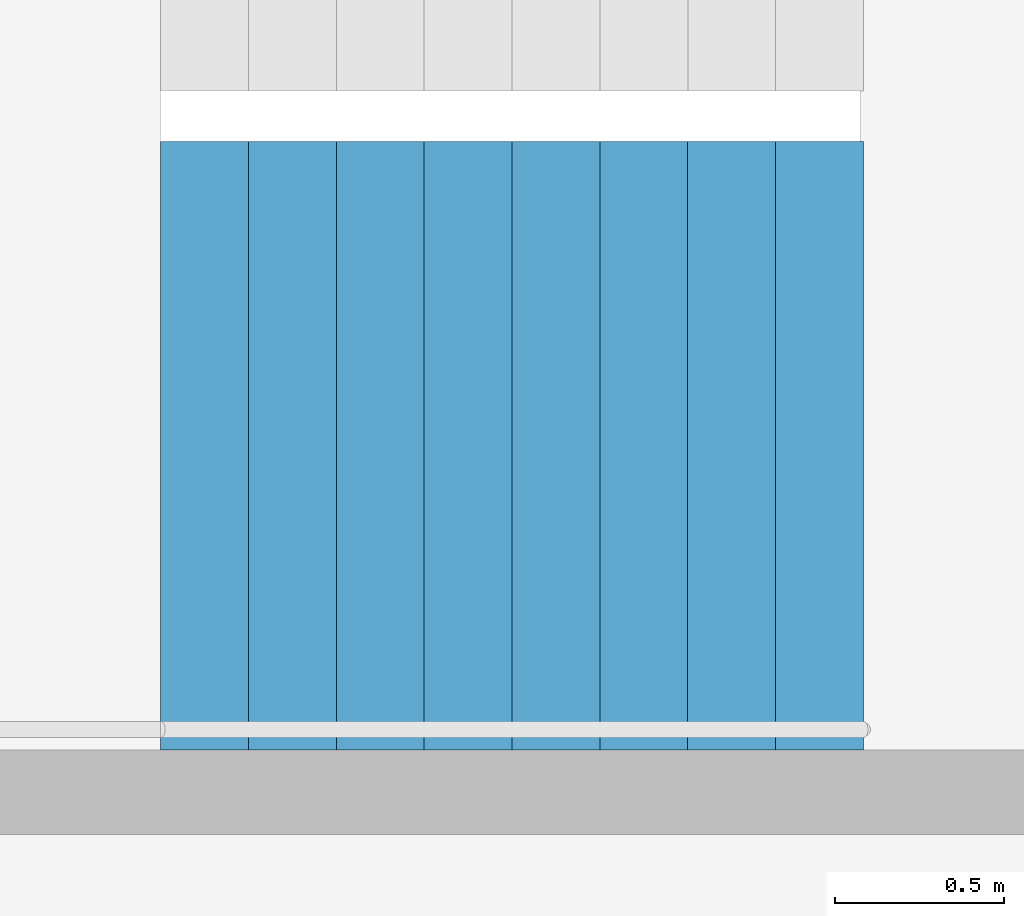
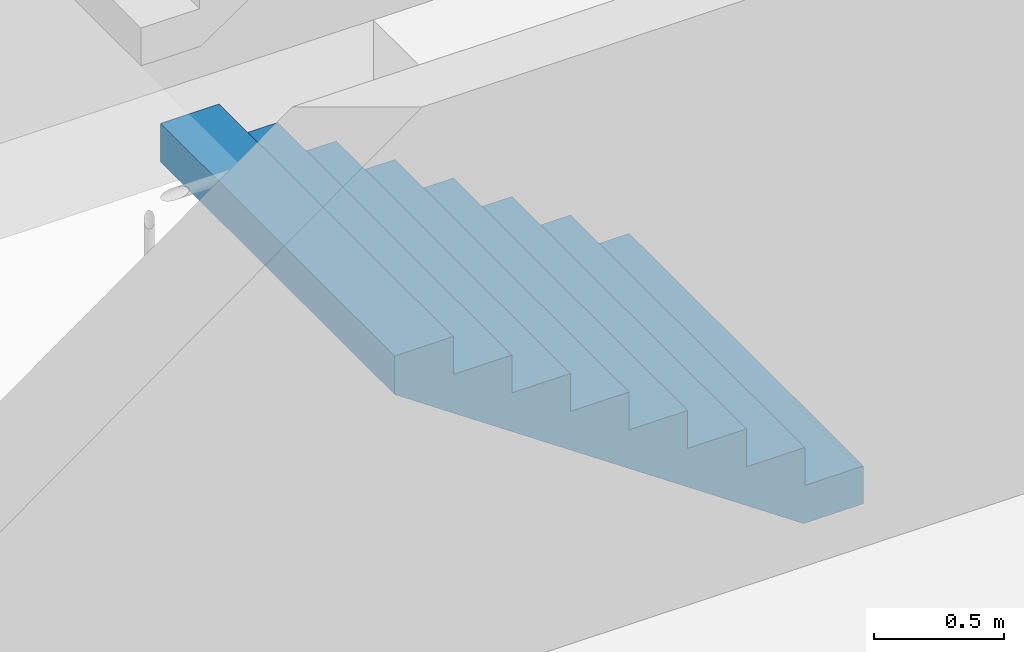
# One storey, part 25 of 27: 1 stair flight, 1 element without a shape of its own.
"""IFC4 building model written with IfcOpenShell, lengths in metres."""

from ifc_helpers import new_model, si_unit, direction, frame, origin, place, context, subcontext, project, spatial, triangles, material, type_object, element, aggregate, save


model = new_model("IFC4")

# Units and contexts
model_context = context("Model", 3, precision=1e-05, world=origin(), true_north=direction((0.0, 1.0)))
body_context = subcontext(model_context, "Body", "Model", "MODEL_VIEW")
ifc_project = project(units=[si_unit("LENGTHUNIT", "METRE"), si_unit("AREAUNIT", "SQUARE_METRE"), si_unit("VOLUMEUNIT", "CUBIC_METRE"), si_unit("PLANEANGLEUNIT", "RADIAN"), si_unit("MASSUNIT", "GRAM", prefix="KILO")], contexts=[model_context])

# Site, building, storey
site_placement = place(None, origin())
site = spatial("IfcSite", under=ifc_project, at=site_placement, CompositionType="ELEMENT")
building_placement = place(site_placement, origin())
building = spatial("IfcBuilding", under=site, at=building_placement, Name="Hakoniwa Tower and Hamabe Station Hall", CompositionType="ELEMENT")
storey_placement = place(building_placement, frame((0.0, 0.0, 166.199951171875)))
storey = spatial("IfcBuildingStorey", under=building, at=storey_placement, Name="L47", CompositionType="ELEMENT", Elevation=166.199951171875)

# Stair, stair flight
ifc_material_1 = material(Name="Concrete C40", Category="concrete")
stair_type = type_object("IfcStairType", Name="ESCAPE STAIR 1800", PredefinedType="HALF_TURN_STAIR", material=ifc_material_1)
stair_placement = place(storey_placement, origin())
stair = element("IfcStair", 1, at=stair_placement, inside=storey, type_object=stair_type, Name="Escape stair ST-3 L47", PredefinedType="HALF_TURN_STAIR")
ifc_material_2 = material(Name="Concrete C40", Category="concrete")
stair_flight_type = type_object("IfcStairFlightType", Name="STAIR FLIGHT 1800", PredefinedType="STRAIGHT", material=ifc_material_2)
stair_flight_placement = place(storey_placement, frame((24.39990234375, 4.64990234375, 0.0), z_axis=(0.0, 0.0, 1.0), x_axis=(-1.0, 0.0, 0.0)))
stair_flight = element("IfcStairFlight", 2, at=stair_flight_placement, type_object=stair_flight_type, Name="ST-3 flight 1", NumberOfRisers=9, NumberOfTreads=8, PredefinedType="STRAIGHT", RiserHeight=0.177777778, TreadLength=0.26, context=body_context, shape_type="Tessellation", body=[
    triangles([(0.0, 0.89990234375, 0.0), (0.260009765625, 0.89990234375, 0.0), (0.265625, 0.89990234375, 0.0), (0.52001953125, 0.89990234375, 0.174072265625), (0.780029296875, 0.89990234375, 0.351806640625), (1.0400390625, 0.89990234375, 0.529541015625), (1.300048828125, 0.89990234375, 0.707275390625), (1.56005859375, 0.89990234375, 0.885009765625), (1.820068359375, 0.89990234375, 1.062744140625), (2.080078125, 0.89990234375, 1.24072265625), (2.080078125, 0.89990234375, 1.422119140625), (1.820068359375, 0.89990234375, 1.422119140625), (1.820068359375, 0.89990234375, 1.244384765625), (1.56005859375, 0.89990234375, 1.244384765625), (1.56005859375, 0.89990234375, 1.066650390625), (1.300048828125, 0.89990234375, 1.066650390625), (1.300048828125, 0.89990234375, 0.888916015625), (1.0400390625, 0.89990234375, 0.888916015625), (1.0400390625, 0.89990234375, 0.711181640625), (0.780029296875, 0.89990234375, 0.711181640625), (0.780029296875, 0.89990234375, 0.533447265625), (0.52001953125, 0.89990234375, 0.533447265625), (0.52001953125, 0.89990234375, 0.35546875), (0.265625, 0.89990234375, 0.35546875), (0.260009765625, 0.89990234375, 0.35546875), (0.260009765625, 0.89990234375, 0.177734375), (0.0, 0.89990234375, 0.177734375), (0.0, 0.06005859375, 0.0), (0.260009765625, 0.06005859375, 0.0), (0.265625, 0.06005859375, 0.0), (0.52001953125, 0.06005859375, 0.174072265625), (0.780029296875, 0.06005859375, 0.351806640625), (1.0400390625, 0.06005859375, 0.529541015625), (1.300048828125, 0.06005859375, 0.707275390625), (1.56005859375, 0.06005859375, 0.885009765625), (1.820068359375, 0.06005859375, 1.062744140625), (2.080078125, 0.06005859375, 1.24072265625), (2.080078125, 0.06005859375, 1.422119140625), (1.820068359375, 0.06005859375, 1.422119140625), (1.820068359375, 0.06005859375, 1.244384765625), (1.56005859375, 0.06005859375, 1.244384765625), (1.56005859375, 0.06005859375, 1.066650390625), (1.300048828125, 0.06005859375, 1.066650390625), (1.300048828125, 0.06005859375, 0.888916015625), (1.0400390625, 0.06005859375, 0.888916015625), (1.0400390625, 0.06005859375, 0.711181640625), (0.780029296875, 0.06005859375, 0.711181640625), (0.780029296875, 0.06005859375, 0.533447265625), (0.52001953125, 0.06005859375, 0.533447265625), (0.52001953125, 0.06005859375, 0.35546875), (0.265625, 0.06005859375, 0.35546875), (0.260009765625, 0.06005859375, 0.35546875), (0.260009765625, 0.06005859375, 0.177734375), (0.0, 0.06005859375, 0.177734375), (0.0, 0.04296875, 0.0), (0.260009765625, 0.04296875, 0.0), (0.265625, 0.04296875, 0.0), (0.52001953125, 0.04296875, 0.174072265625), (0.780029296875, 0.04296875, 0.351806640625), (1.0400390625, 0.04296875, 0.529541015625), (1.300048828125, 0.04296875, 0.707275390625), (1.56005859375, 0.04296875, 0.885009765625), (1.820068359375, 0.04296875, 1.062744140625), (2.080078125, 0.04296875, 1.24072265625), (2.080078125, 0.04296875, 1.422119140625), (1.820068359375, 0.04296875, 1.422119140625), (1.820068359375, 0.04296875, 1.244384765625), (1.56005859375, 0.04296875, 1.244384765625), (1.56005859375, 0.04296875, 1.066650390625), (1.300048828125, 0.04296875, 1.066650390625), (1.300048828125, 0.04296875, 0.888916015625), (1.0400390625, 0.04296875, 0.888916015625), (1.0400390625, 0.04296875, 0.711181640625), (0.780029296875, 0.04296875, 0.711181640625), (0.780029296875, 0.04296875, 0.533447265625), (0.52001953125, 0.04296875, 0.533447265625), (0.52001953125, 0.04296875, 0.35546875), (0.265625, 0.04296875, 0.35546875), (0.260009765625, 0.04296875, 0.35546875), (0.260009765625, 0.04296875, 0.177734375), (0.0, 0.04296875, 0.177734375), (0.0, 0.025634765625, 0.0), (0.260009765625, 0.025634765625, 0.0), (0.265625, 0.025634765625, 0.0), (0.52001953125, 0.025634765625, 0.174072265625), (0.780029296875, 0.025634765625, 0.351806640625), (1.0400390625, 0.025634765625, 0.529541015625), (1.300048828125, 0.025634765625, 0.707275390625), (1.56005859375, 0.025634765625, 0.885009765625), (1.820068359375, 0.025634765625, 1.062744140625), (2.080078125, 0.025634765625, 1.24072265625), (2.080078125, 0.025634765625, 1.422119140625), (1.820068359375, 0.025634765625, 1.422119140625), (1.820068359375, 0.025634765625, 1.244384765625), (1.56005859375, 0.025634765625, 1.244384765625), (1.56005859375, 0.025634765625, 1.066650390625), (1.300048828125, 0.025634765625, 1.066650390625), (1.300048828125, 0.025634765625, 0.888916015625), (1.0400390625, 0.025634765625, 0.888916015625), (1.0400390625, 0.025634765625, 0.711181640625), (0.780029296875, 0.025634765625, 0.711181640625), (0.780029296875, 0.025634765625, 0.533447265625), (0.52001953125, 0.025634765625, 0.533447265625), (0.52001953125, 0.025634765625, 0.35546875), (0.265625, 0.025634765625, 0.35546875), (0.260009765625, 0.025634765625, 0.35546875), (0.260009765625, 0.025634765625, 0.177734375), (0.0, 0.025634765625, 0.177734375), (0.0, 0.008544921875, 0.0), (0.260009765625, 0.008544921875, 0.0), (0.265625, 0.008544921875, 0.0), (0.52001953125, 0.008544921875, 0.174072265625), (0.780029296875, 0.008544921875, 0.351806640625), (1.0400390625, 0.008544921875, 0.529541015625), (1.300048828125, 0.008544921875, 0.707275390625), (1.56005859375, 0.008544921875, 0.885009765625), (1.820068359375, 0.008544921875, 1.062744140625), (2.080078125, 0.008544921875, 1.24072265625), (2.080078125, 0.008544921875, 1.422119140625), (1.820068359375, 0.008544921875, 1.422119140625), (1.820068359375, 0.008544921875, 1.244384765625), (1.56005859375, 0.008544921875, 1.244384765625), (1.56005859375, 0.008544921875, 1.066650390625), (1.300048828125, 0.008544921875, 1.066650390625), (1.300048828125, 0.008544921875, 0.888916015625), (1.0400390625, 0.008544921875, 0.888916015625), (1.0400390625, 0.008544921875, 0.711181640625), (0.780029296875, 0.008544921875, 0.711181640625), (0.780029296875, 0.008544921875, 0.533447265625), (0.52001953125, 0.008544921875, 0.533447265625), (0.52001953125, 0.008544921875, 0.35546875), (0.265625, 0.008544921875, 0.35546875), (0.260009765625, 0.008544921875, 0.35546875), (0.260009765625, 0.008544921875, 0.177734375), (0.0, 0.008544921875, 0.177734375), (0.0, -0.008544921875, 0.0), (0.260009765625, -0.008544921875, 0.0), (0.265625, -0.008544921875, 0.0), (0.52001953125, -0.008544921875, 0.174072265625), (0.780029296875, -0.008544921875, 0.351806640625), (1.0400390625, -0.008544921875, 0.529541015625), (1.300048828125, -0.008544921875, 0.707275390625), (1.56005859375, -0.008544921875, 0.885009765625), (1.820068359375, -0.008544921875, 1.062744140625), (2.080078125, -0.008544921875, 1.24072265625), (2.080078125, -0.008544921875, 1.422119140625), (1.820068359375, -0.008544921875, 1.422119140625), (1.820068359375, -0.008544921875, 1.244384765625), (1.56005859375, -0.008544921875, 1.244384765625), (1.56005859375, -0.008544921875, 1.066650390625), (1.300048828125, -0.008544921875, 1.066650390625), (1.300048828125, -0.008544921875, 0.888916015625), (1.0400390625, -0.008544921875, 0.888916015625), (1.0400390625, -0.008544921875, 0.711181640625), (0.780029296875, -0.008544921875, 0.711181640625), (0.780029296875, -0.008544921875, 0.533447265625), (0.52001953125, -0.008544921875, 0.533447265625), (0.52001953125, -0.008544921875, 0.35546875), (0.265625, -0.008544921875, 0.35546875), (0.260009765625, -0.008544921875, 0.35546875), (0.260009765625, -0.008544921875, 0.177734375), (0.0, -0.008544921875, 0.177734375), (0.0, -0.025634765625, 0.0), (0.260009765625, -0.025634765625, 0.0), (0.265625, -0.025634765625, 0.0), (0.52001953125, -0.025634765625, 0.174072265625), (0.780029296875, -0.025634765625, 0.351806640625), (1.0400390625, -0.025634765625, 0.529541015625), (1.300048828125, -0.025634765625, 0.707275390625), (1.56005859375, -0.025634765625, 0.885009765625), (1.820068359375, -0.025634765625, 1.062744140625), (2.080078125, -0.025634765625, 1.24072265625), (2.080078125, -0.025634765625, 1.422119140625), (1.820068359375, -0.025634765625, 1.422119140625), (1.820068359375, -0.025634765625, 1.244384765625), (1.56005859375, -0.025634765625, 1.244384765625), (1.56005859375, -0.025634765625, 1.066650390625), (1.300048828125, -0.025634765625, 1.066650390625), (1.300048828125, -0.025634765625, 0.888916015625), (1.0400390625, -0.025634765625, 0.888916015625), (1.0400390625, -0.025634765625, 0.711181640625), (0.780029296875, -0.025634765625, 0.711181640625), (0.780029296875, -0.025634765625, 0.533447265625), (0.52001953125, -0.025634765625, 0.533447265625), (0.52001953125, -0.025634765625, 0.35546875), (0.265625, -0.025634765625, 0.35546875), (0.260009765625, -0.025634765625, 0.35546875), (0.260009765625, -0.025634765625, 0.177734375), (0.0, -0.025634765625, 0.177734375), (0.0, -0.04296875, 0.0), (0.260009765625, -0.04296875, 0.0), (0.265625, -0.04296875, 0.0), (0.52001953125, -0.04296875, 0.174072265625), (0.780029296875, -0.04296875, 0.351806640625), (1.0400390625, -0.04296875, 0.529541015625), (1.300048828125, -0.04296875, 0.707275390625), (1.56005859375, -0.04296875, 0.885009765625), (1.820068359375, -0.04296875, 1.062744140625), (2.080078125, -0.04296875, 1.24072265625), (2.080078125, -0.04296875, 1.422119140625), (1.820068359375, -0.04296875, 1.422119140625), (1.820068359375, -0.04296875, 1.244384765625), (1.56005859375, -0.04296875, 1.244384765625), (1.56005859375, -0.04296875, 1.066650390625), (1.300048828125, -0.04296875, 1.066650390625), (1.300048828125, -0.04296875, 0.888916015625), (1.0400390625, -0.04296875, 0.888916015625), (1.0400390625, -0.04296875, 0.711181640625), (0.780029296875, -0.04296875, 0.711181640625), (0.780029296875, -0.04296875, 0.533447265625), (0.52001953125, -0.04296875, 0.533447265625), (0.52001953125, -0.04296875, 0.35546875), (0.265625, -0.04296875, 0.35546875), (0.260009765625, -0.04296875, 0.35546875), (0.260009765625, -0.04296875, 0.177734375), (0.0, -0.04296875, 0.177734375), (0.0, -0.06005859375, 0.0), (0.260009765625, -0.06005859375, 0.0), (0.265625, -0.06005859375, 0.0), (0.52001953125, -0.06005859375, 0.174072265625), (0.780029296875, -0.06005859375, 0.351806640625), (1.0400390625, -0.06005859375, 0.529541015625), (1.300048828125, -0.06005859375, 0.707275390625), (1.56005859375, -0.06005859375, 0.885009765625), (1.820068359375, -0.06005859375, 1.062744140625), (2.080078125, -0.06005859375, 1.24072265625), (2.080078125, -0.06005859375, 1.422119140625), (1.820068359375, -0.06005859375, 1.422119140625), (1.820068359375, -0.06005859375, 1.244384765625), (1.56005859375, -0.06005859375, 1.244384765625), (1.56005859375, -0.06005859375, 1.066650390625), (1.300048828125, -0.06005859375, 1.066650390625), (1.300048828125, -0.06005859375, 0.888916015625), (1.0400390625, -0.06005859375, 0.888916015625), (1.0400390625, -0.06005859375, 0.711181640625), (0.780029296875, -0.06005859375, 0.711181640625), (0.780029296875, -0.06005859375, 0.533447265625), (0.52001953125, -0.06005859375, 0.533447265625), (0.52001953125, -0.06005859375, 0.35546875), (0.265625, -0.06005859375, 0.35546875), (0.260009765625, -0.06005859375, 0.35546875), (0.260009765625, -0.06005859375, 0.177734375), (0.0, -0.06005859375, 0.177734375), (0.0, -0.89990234375, 0.0), (0.260009765625, -0.89990234375, 0.0), (0.265625, -0.89990234375, 0.0), (0.52001953125, -0.89990234375, 0.174072265625), (0.780029296875, -0.89990234375, 0.351806640625), (1.0400390625, -0.89990234375, 0.529541015625), (1.300048828125, -0.89990234375, 0.707275390625), (1.56005859375, -0.89990234375, 0.885009765625), (1.820068359375, -0.89990234375, 1.062744140625), (2.080078125, -0.89990234375, 1.24072265625), (2.080078125, -0.89990234375, 1.422119140625), (1.820068359375, -0.89990234375, 1.422119140625), (1.820068359375, -0.89990234375, 1.244384765625), (1.56005859375, -0.89990234375, 1.244384765625), (1.56005859375, -0.89990234375, 1.066650390625), (1.300048828125, -0.89990234375, 1.066650390625), (1.300048828125, -0.89990234375, 0.888916015625), (1.0400390625, -0.89990234375, 0.888916015625), (1.0400390625, -0.89990234375, 0.711181640625), (0.780029296875, -0.89990234375, 0.711181640625), (0.780029296875, -0.89990234375, 0.533447265625), (0.52001953125, -0.89990234375, 0.533447265625), (0.52001953125, -0.89990234375, 0.35546875), (0.265625, -0.89990234375, 0.35546875), (0.260009765625, -0.89990234375, 0.35546875), (0.260009765625, -0.89990234375, 0.177734375), (0.0, -0.89990234375, 0.177734375)], [[2, 27, 26], [245, 269, 270], [2, 1, 27], [245, 270, 244], [3, 25, 24], [246, 267, 268], [3, 26, 25], [246, 268, 269], [3, 2, 26], [246, 269, 245], [4, 24, 23], [247, 266, 267], [4, 3, 24], [247, 267, 246], [5, 22, 21], [248, 264, 265], [5, 23, 22], [248, 265, 266], [5, 4, 23], [248, 266, 247], [6, 20, 19], [249, 262, 263], [6, 21, 20], [249, 263, 264], [6, 5, 21], [249, 264, 248], [7, 18, 17], [250, 260, 261], [7, 19, 18], [250, 261, 262], [7, 6, 19], [250, 262, 249], [8, 16, 15], [251, 258, 259], [8, 17, 16], [251, 259, 260], [8, 7, 17], [251, 260, 250], [9, 14, 13], [252, 256, 257], [9, 15, 14], [252, 257, 258], [9, 8, 15], [252, 258, 251], [10, 12, 11], [253, 254, 255], [10, 13, 12], [253, 255, 256], [10, 9, 13], [253, 256, 252], [1, 2, 29], [1, 29, 28], [28, 29, 56], [28, 56, 55], [55, 56, 83], [55, 83, 82], [82, 83, 110], [82, 110, 109], [109, 110, 137], [109, 137, 136], [136, 137, 164], [136, 164, 163], [163, 164, 191], [163, 191, 190], [190, 191, 218], [190, 218, 217], [217, 218, 245], [217, 245, 244], [2, 3, 30], [2, 30, 29], [29, 30, 57], [29, 57, 56], [56, 57, 84], [56, 84, 83], [83, 84, 111], [83, 111, 110], [110, 111, 138], [110, 138, 137], [137, 138, 165], [137, 165, 164], [164, 165, 192], [164, 192, 191], [191, 192, 219], [191, 219, 218], [218, 219, 246], [218, 246, 245], [3, 4, 31], [3, 31, 30], [30, 31, 58], [30, 58, 57], [57, 58, 85], [57, 85, 84], [84, 85, 112], [84, 112, 111], [111, 112, 139], [111, 139, 138], [138, 139, 166], [138, 166, 165], [165, 166, 193], [165, 193, 192], [192, 193, 220], [192, 220, 219], [219, 220, 247], [219, 247, 246], [4, 5, 32], [4, 32, 31], [31, 32, 59], [31, 59, 58], [58, 59, 86], [58, 86, 85], [85, 86, 113], [85, 113, 112], [112, 113, 140], [112, 140, 139], [139, 140, 167], [139, 167, 166], [166, 167, 194], [166, 194, 193], [193, 194, 221], [193, 221, 220], [220, 221, 248], [220, 248, 247], [5, 6, 33], [5, 33, 32], [32, 33, 60], [32, 60, 59], [59, 60, 87], [59, 87, 86], [86, 87, 114], [86, 114, 113], [113, 114, 141], [113, 141, 140], [140, 141, 168], [140, 168, 167], [167, 168, 195], [167, 195, 194], [194, 195, 222], [194, 222, 221], [221, 222, 249], [221, 249, 248], [6, 7, 34], [6, 34, 33], [33, 34, 61], [33, 61, 60], [60, 61, 88], [60, 88, 87], [87, 88, 115], [87, 115, 114], [114, 115, 142], [114, 142, 141], [141, 142, 169], [141, 169, 168], [168, 169, 196], [168, 196, 195], [195, 196, 223], [195, 223, 222], [222, 223, 250], [222, 250, 249], [7, 8, 35], [7, 35, 34], [34, 35, 62], [34, 62, 61], [61, 62, 89], [61, 89, 88], [88, 89, 116], [88, 116, 115], [115, 116, 143], [115, 143, 142], [142, 143, 170], [142, 170, 169], [169, 170, 197], [169, 197, 196], [196, 197, 224], [196, 224, 223], [223, 224, 251], [223, 251, 250], [8, 9, 36], [8, 36, 35], [35, 36, 63], [35, 63, 62], [62, 63, 90], [62, 90, 89], [89, 90, 117], [89, 117, 116], [116, 117, 144], [116, 144, 143], [143, 144, 171], [143, 171, 170], [170, 171, 198], [170, 198, 197], [197, 198, 225], [197, 225, 224], [224, 225, 252], [224, 252, 251], [9, 10, 37], [9, 37, 36], [36, 37, 64], [36, 64, 63], [63, 64, 91], [63, 91, 90], [90, 91, 118], [90, 118, 117], [117, 118, 145], [117, 145, 144], [144, 145, 172], [144, 172, 171], [171, 172, 199], [171, 199, 198], [198, 199, 226], [198, 226, 225], [225, 226, 253], [225, 253, 252], [10, 11, 38], [10, 38, 37], [37, 38, 65], [37, 65, 64], [64, 65, 92], [64, 92, 91], [91, 92, 119], [91, 119, 118], [118, 119, 146], [118, 146, 145], [145, 146, 173], [145, 173, 172], [172, 173, 200], [172, 200, 199], [199, 200, 227], [199, 227, 226], [226, 227, 254], [226, 254, 253], [11, 12, 39], [11, 39, 38], [38, 39, 66], [38, 66, 65], [65, 66, 93], [65, 93, 92], [92, 93, 120], [92, 120, 119], [119, 120, 147], [119, 147, 146], [146, 147, 174], [146, 174, 173], [173, 174, 201], [173, 201, 200], [200, 201, 228], [200, 228, 227], [227, 228, 255], [227, 255, 254], [12, 13, 40], [12, 40, 39], [39, 40, 67], [39, 67, 66], [66, 67, 94], [66, 94, 93], [93, 94, 121], [93, 121, 120], [120, 121, 148], [120, 148, 147], [147, 148, 175], [147, 175, 174], [174, 175, 202], [174, 202, 201], [201, 202, 229], [201, 229, 228], [228, 229, 256], [228, 256, 255], [13, 14, 41], [13, 41, 40], [40, 41, 68], [40, 68, 67], [67, 68, 95], [67, 95, 94], [94, 95, 122], [94, 122, 121], [121, 122, 149], [121, 149, 148], [148, 149, 176], [148, 176, 175], [175, 176, 203], [175, 203, 202], [202, 203, 230], [202, 230, 229], [229, 230, 257], [229, 257, 256], [14, 15, 42], [14, 42, 41], [41, 42, 69], [41, 69, 68], [68, 69, 96], [68, 96, 95], [95, 96, 123], [95, 123, 122], [122, 123, 150], [122, 150, 149], [149, 150, 177], [149, 177, 176], [176, 177, 204], [176, 204, 203], [203, 204, 231], [203, 231, 230], [230, 231, 258], [230, 258, 257], [15, 16, 43], [15, 43, 42], [42, 43, 70], [42, 70, 69], [69, 70, 97], [69, 97, 96], [96, 97, 124], [96, 124, 123], [123, 124, 151], [123, 151, 150], [150, 151, 178], [150, 178, 177], [177, 178, 205], [177, 205, 204], [204, 205, 232], [204, 232, 231], [231, 232, 259], [231, 259, 258], [16, 17, 44], [16, 44, 43], [43, 44, 71], [43, 71, 70], [70, 71, 98], [70, 98, 97], [97, 98, 125], [97, 125, 124], [124, 125, 152], [124, 152, 151], [151, 152, 179], [151, 179, 178], [178, 179, 206], [178, 206, 205], [205, 206, 233], [205, 233, 232], [232, 233, 260], [232, 260, 259], [17, 18, 45], [17, 45, 44], [44, 45, 72], [44, 72, 71], [71, 72, 99], [71, 99, 98], [98, 99, 126], [98, 126, 125], [125, 126, 153], [125, 153, 152], [152, 153, 180], [152, 180, 179], [179, 180, 207], [179, 207, 206], [206, 207, 234], [206, 234, 233], [233, 234, 261], [233, 261, 260], [18, 19, 46], [18, 46, 45], [45, 46, 73], [45, 73, 72], [72, 73, 100], [72, 100, 99], [99, 100, 127], [99, 127, 126], [126, 127, 154], [126, 154, 153], [153, 154, 181], [153, 181, 180], [180, 181, 208], [180, 208, 207], [207, 208, 235], [207, 235, 234], [234, 235, 262], [234, 262, 261], [19, 20, 47], [19, 47, 46], [46, 47, 74], [46, 74, 73], [73, 74, 101], [73, 101, 100], [100, 101, 128], [100, 128, 127], [127, 128, 155], [127, 155, 154], [154, 155, 182], [154, 182, 181], [181, 182, 209], [181, 209, 208], [208, 209, 236], [208, 236, 235], [235, 236, 263], [235, 263, 262], [20, 21, 48], [20, 48, 47], [47, 48, 75], [47, 75, 74], [74, 75, 102], [74, 102, 101], [101, 102, 129], [101, 129, 128], [128, 129, 156], [128, 156, 155], [155, 156, 183], [155, 183, 182], [182, 183, 210], [182, 210, 209], [209, 210, 237], [209, 237, 236], [236, 237, 264], [236, 264, 263], [21, 22, 49], [21, 49, 48], [48, 49, 76], [48, 76, 75], [75, 76, 103], [75, 103, 102], [102, 103, 130], [102, 130, 129], [129, 130, 157], [129, 157, 156], [156, 157, 184], [156, 184, 183], [183, 184, 211], [183, 211, 210], [210, 211, 238], [210, 238, 237], [237, 238, 265], [237, 265, 264], [22, 23, 50], [22, 50, 49], [49, 50, 77], [49, 77, 76], [76, 77, 104], [76, 104, 103], [103, 104, 131], [103, 131, 130], [130, 131, 158], [130, 158, 157], [157, 158, 185], [157, 185, 184], [184, 185, 212], [184, 212, 211], [211, 212, 239], [211, 239, 238], [238, 239, 266], [238, 266, 265], [23, 24, 51], [23, 51, 50], [50, 51, 78], [50, 78, 77], [77, 78, 105], [77, 105, 104], [104, 105, 132], [104, 132, 131], [131, 132, 159], [131, 159, 158], [158, 159, 186], [158, 186, 185], [185, 186, 213], [185, 213, 212], [212, 213, 240], [212, 240, 239], [239, 240, 267], [239, 267, 266], [24, 25, 52], [24, 52, 51], [51, 52, 79], [51, 79, 78], [78, 79, 106], [78, 106, 105], [105, 106, 133], [105, 133, 132], [132, 133, 160], [132, 160, 159], [159, 160, 187], [159, 187, 186], [186, 187, 214], [186, 214, 213], [213, 214, 241], [213, 241, 240], [240, 241, 268], [240, 268, 267], [25, 26, 53], [25, 53, 52], [52, 53, 80], [52, 80, 79], [79, 80, 107], [79, 107, 106], [106, 107, 134], [106, 134, 133], [133, 134, 161], [133, 161, 160], [160, 161, 188], [160, 188, 187], [187, 188, 215], [187, 215, 214], [214, 215, 242], [214, 242, 241], [241, 242, 269], [241, 269, 268], [26, 27, 54], [26, 54, 53], [53, 54, 81], [53, 81, 80], [80, 81, 108], [80, 108, 107], [107, 108, 135], [107, 135, 134], [134, 135, 162], [134, 162, 161], [161, 162, 189], [161, 189, 188], [188, 189, 216], [188, 216, 215], [215, 216, 243], [215, 243, 242], [242, 243, 270], [242, 270, 269], [27, 1, 28], [27, 28, 54], [54, 28, 55], [54, 55, 81], [81, 55, 82], [81, 82, 108], [108, 82, 109], [108, 109, 135], [135, 109, 136], [135, 136, 162], [162, 136, 163], [162, 163, 189], [189, 163, 190], [189, 190, 216], [216, 190, 217], [216, 217, 243], [243, 217, 244], [243, 244, 270]], closed=True),
])
aggregate(stair, [stair_flight])

save(model, "model.ifc")
